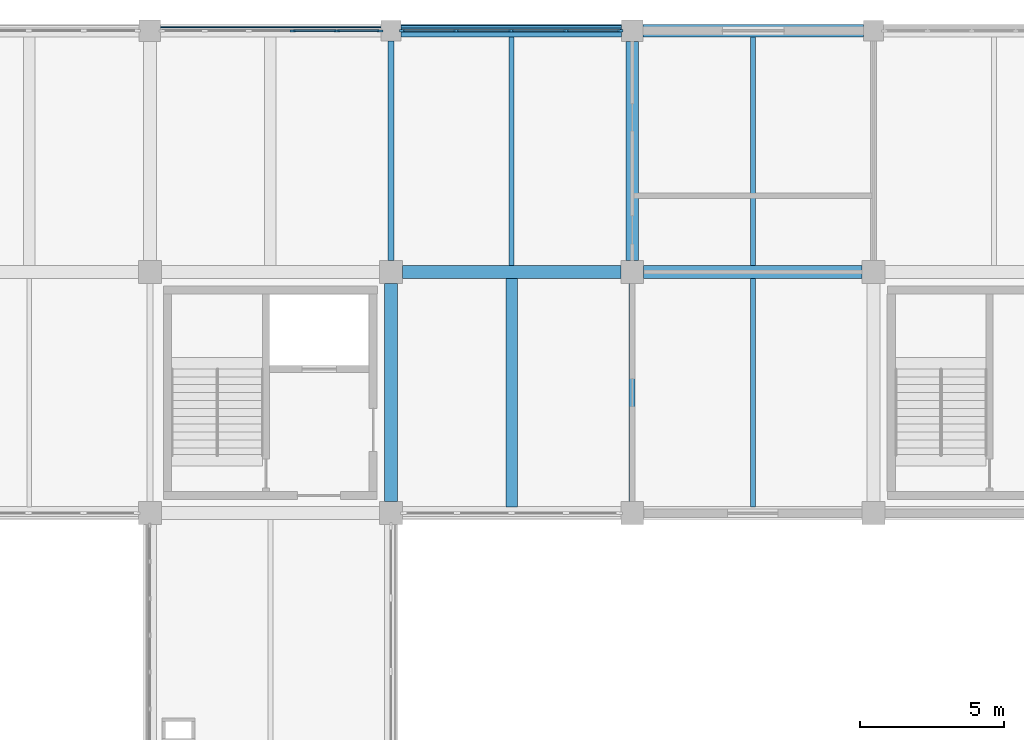
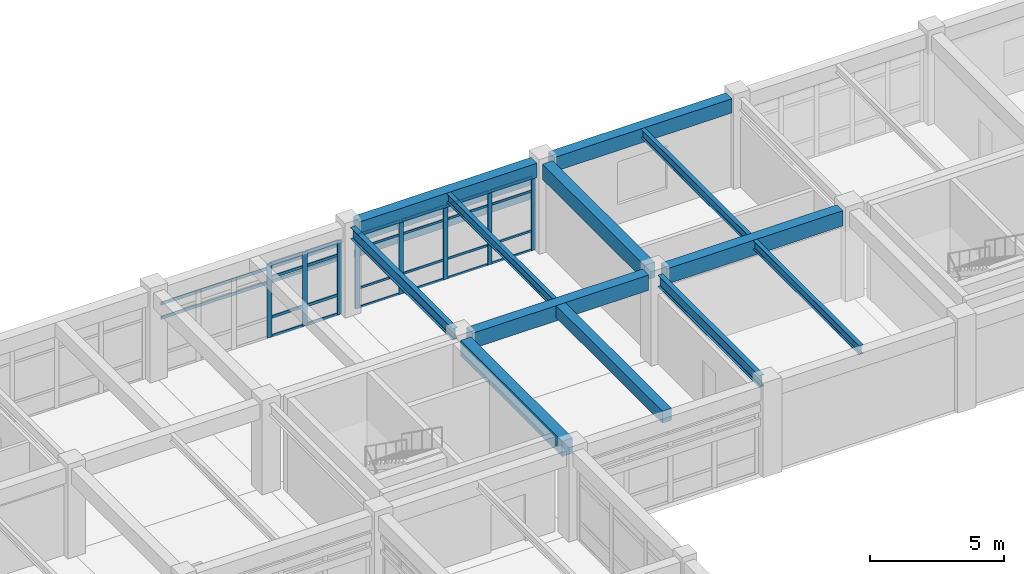
# One storey, part 33 of 74: 36 members, 12 beams, 2 elements without a shape of their own.
"""IFC4 building model written with IfcOpenShell, lengths in metres."""

from ifc_helpers import new_model, si_unit, direction, frame, origin, origin_2d, place, context, subcontext, project, spatial, rectangle, i_section, extrude, material, layer, layer_set, material_profile, profile_set, type_object, element, aggregate, save


model = new_model("IFC4")

# Units and contexts
model_context = context("Model", 3, precision=1e-05, world=origin(), true_north=direction((0.0, 1.0)))
body_context = subcontext(model_context, "Body", "Model", "MODEL_VIEW")
ifc_project = project(units=[si_unit("LENGTHUNIT", "METRE"), si_unit("AREAUNIT", "SQUARE_METRE"), si_unit("VOLUMEUNIT", "CUBIC_METRE"), si_unit("PLANEANGLEUNIT", "RADIAN"), si_unit("MASSUNIT", "GRAM", prefix="KILO")], contexts=[model_context])

# Site, building, storey
site_placement = place(None, origin())
site = spatial("IfcSite", under=ifc_project, at=site_placement, CompositionType="ELEMENT")
building_placement = place(site_placement, origin())
building = spatial("IfcBuilding", under=site, at=building_placement, Name="Porcellanite Civic Hall", CompositionType="ELEMENT")
storey_placement = place(building_placement, frame((0.0, 0.0, 14.760009765625)))
storey = spatial("IfcBuildingStorey", under=building, at=storey_placement, Name="L03", CompositionType="ELEMENT", Elevation=14.760009765625)

# Beams
ifc_material_1 = material(Name="Concrete N50 (50 MPa)", Category="concrete")
ifc_material_profile_1 = material_profile(ifc_material_1, rectangle(XDim=0.39990234375, YDim=0.550048828125, at=origin_2d()), Name="RC-400x550")
ifc_profile_set_1 = profile_set([ifc_material_profile_1], Name="Concrete N50 (50 MPa)")
beam_type_1 = type_object("IfcBeamType", Name="BM-RC550", PredefinedType="JOIST", material=ifc_profile_set_1)
beam_1_placement = place(storey_placement, frame((63.0, 101.0244140625, 3.794921875), z_axis=(0.0, 1.0, 0.0), x_axis=(-1.0, 0.0, 0.0)))
element("IfcBeam", 1, at=beam_1_placement, inside=storey, type_object=beam_type_1, Name="Secondary joist L03 8-13", PredefinedType="JOIST", context=body_context, shape_type="SweptSolid", body=[
    extrude(rectangle(XDim=0.39990234375, YDim=0.550048828125, at=origin_2d()), origin(), (0.0, 0.0, 1.0), 7.951171875),
])
ifc_material_2 = material(Name="Concrete N50 (50 MPa)", Category="concrete")
ifc_material_profile_2 = material_profile(ifc_material_2, rectangle(XDim=0.449951171875, YDim=0.64990234375, at=origin_2d()), Name="RC-450x650")
ifc_profile_set_2 = profile_set([ifc_material_profile_2], Name="Concrete N50 (50 MPa)")
beam_type_2 = type_object("IfcBeamType", Name="BM-RC650", PredefinedType="SPANDREL", material=ifc_profile_set_2)
for number, where, z_axis, x_axis, name in (
    (2, (59.1494140625, 117.60009765625, 3.744873046875), (1.0, 0.0, 0.0), (0.0, 1.0, 0.0), "Beam X L03 8-15"),
    (3, (67.574462890625, 117.60009765625, 3.744873046875), (1.0, 0.0, 0.0), (0.0, 1.0, 0.0), "Beam X L03 9-15"),
):
    element("IfcBeam", number, at=place(storey_placement, frame(where, z_axis=z_axis, x_axis=x_axis)), inside=storey, type_object=beam_type_2, Name=name, PredefinedType="SPANDREL", context=body_context, shape_type="SweptSolid", body=[
        extrude(rectangle(XDim=0.449951171875, YDim=0.64990234375, at=origin_2d()), origin(), (0.0, 0.0, 1.0), 7.676025390625),
    ])
ifc_material_3 = material(Name="Concrete N50 (50 MPa)", Category="concrete")
ifc_material_profile_3 = material_profile(ifc_material_3, rectangle(XDim=0.449951171875, YDim=0.699951171875, at=origin_2d()), Name="RC-450x700")
ifc_profile_set_3 = profile_set([ifc_material_profile_3], Name="Concrete N50 (50 MPa)")
beam_type_3 = type_object("IfcBeamType", Name="BM-RC700", PredefinedType="BEAM", material=ifc_profile_set_3)
beam_2_placement = place(storey_placement, frame((59.199462890625, 109.199951171875, 3.719970703125), z_axis=(1.0, 0.0, 0.0), x_axis=(0.0, 1.0, 0.0)))
element("IfcBeam", 4, at=beam_2_placement, inside=storey, type_object=beam_type_3, Name="Beam X L03 8-14", PredefinedType="BEAM", context=body_context, shape_type="SweptSolid", body=[
    extrude(rectangle(XDim=0.449951171875, YDim=0.699951171875, at=origin_2d()), origin(), (0.0, 0.0, 1.0), 7.60107421875),
])
beam_3_placement = place(storey_placement, frame((67.599609375, 109.199951171875, 3.719970703125), z_axis=(1.0, 0.0, 0.0), x_axis=(0.0, 1.0, 0.0)))
element("IfcBeam", 5, at=beam_3_placement, inside=storey, type_object=beam_type_3, Name="Beam X L03 9-14", PredefinedType="BEAM", context=body_context, shape_type="SweptSolid", body=[
    extrude(rectangle(XDim=0.449951171875, YDim=0.699951171875, at=origin_2d()), origin(), (0.0, 0.0, 1.0), 7.600830078125),
])
beam_4_placement = place(storey_placement, frame((58.800048828125, 101.199462890625, 3.719970703125), z_axis=(0.0, 1.0, 0.0), x_axis=(-1.0, 0.0, 0.0)))
element("IfcBeam", 6, at=beam_4_placement, inside=storey, type_object=beam_type_3, Name="Beam Y L03 8-13", PredefinedType="BEAM", context=body_context, shape_type="SweptSolid", body=[
    extrude(rectangle(XDim=0.449951171875, YDim=0.699951171875, at=origin_2d()), origin(), (0.0, 0.0, 1.0), 7.60107421875),
])
beam_5_placement = place(storey_placement, frame((67.199951171875, 109.599609375, 3.719970703125), z_axis=(0.0, 1.0, 0.0), x_axis=(-1.0, 0.0, 0.0)))
element("IfcBeam", 7, at=beam_5_placement, inside=storey, type_object=beam_type_3, Name="Beam Y L03 9-14", PredefinedType="BEAM", context=body_context, shape_type="SweptSolid", body=[
    extrude(rectangle(XDim=0.449951171875, YDim=0.699951171875, at=origin_2d()), origin(), (0.0, 0.0, 1.0), 7.6259765625),
])

# Curtain wall, members
ifc_material_4 = material(Name="Anodised aluminium and solar laminated glass", Category="aluminium")
ifc_layer_1 = layer(ifc_material_4, 0.179931640625)
ifc_layer_set_1 = layer_set([ifc_layer_1], Name="Anodised aluminium and solar laminated glass")
curtain_wall_type_1 = type_object("IfcCurtainWallType", Name="CW-SYS04", PredefinedType="NOTDEFINED", material=ifc_layer_set_1)
curtain_wall_1_placement = place(storey_placement, origin())
curtain_wall_1 = element("IfcCurtainWall", 8, at=curtain_wall_1_placement, inside=storey, type_object=curtain_wall_type_1, Name="Curtain wall CW-205", PredefinedType="NOTDEFINED")
ifc_material_5 = material(Name="Anodised aluminium 6063-T6", Category="aluminium")
ifc_material_profile_4 = material_profile(ifc_material_5, rectangle(XDim=0.074951171875, YDim=0.18994140625, at=origin_2d()), Name="AL-75x190")
ifc_profile_set_4 = profile_set([ifc_material_profile_4], Name="Anodised aluminium 6063-T6")
member_type_1 = type_object("IfcMemberType", Name="CWM-04", PredefinedType="MULLION", material=ifc_profile_set_4)
member_1_placement = place(storey_placement, frame((59.1884765625, 117.60009765625, 0.0), z_axis=(0.0, 0.0, 1.0), x_axis=(0.0, 1.0, 0.0)))
member_1 = element("IfcMember", 9, at=member_1_placement, type_object=member_type_1, Name="CW-205 mullion 1", PredefinedType="MULLION", context=body_context, shape_type="SweptSolid", body=[
    extrude(rectangle(XDim=0.074951171875, YDim=0.18994140625, at=origin_2d()), origin(), (0.0, 0.0, 1.0), 3.369873046875),
])
member_2_placement = place(storey_placement, frame((61.0693359375, 117.60009765625, 0.0), z_axis=(0.0, 0.0, 1.0), x_axis=(0.0, 1.0, 0.0)))
member_2 = element("IfcMember", 10, at=member_2_placement, type_object=member_type_1, Name="CW-205 mullion 2", PredefinedType="MULLION", context=body_context, shape_type="SweptSolid", body=[
    extrude(rectangle(XDim=0.074951171875, YDim=0.18994140625, at=origin_2d()), origin(), (0.0, 0.0, 1.0), 3.369873046875),
])
member_3_placement = place(storey_placement, frame((62.987548828125, 117.60009765625, 0.0), z_axis=(0.0, 0.0, 1.0), x_axis=(0.0, 1.0, 0.0)))
member_3 = element("IfcMember", 11, at=member_3_placement, type_object=member_type_1, Name="CW-205 mullion 3", PredefinedType="MULLION", context=body_context, shape_type="SweptSolid", body=[
    extrude(rectangle(XDim=0.074951171875, YDim=0.18994140625, at=origin_2d()), origin(), (0.0, 0.0, 1.0), 3.369873046875),
])
member_4_placement = place(storey_placement, frame((64.90576171875, 117.60009765625, 0.0), z_axis=(0.0, 0.0, 1.0), x_axis=(0.0, 1.0, 0.0)))
member_4 = element("IfcMember", 12, at=member_4_placement, type_object=member_type_1, Name="CW-205 mullion 4", PredefinedType="MULLION", context=body_context, shape_type="SweptSolid", body=[
    extrude(rectangle(XDim=0.074951171875, YDim=0.18994140625, at=origin_2d()), origin(), (0.0, 0.0, 1.0), 3.369873046875),
])
member_5_placement = place(storey_placement, frame((66.78662109375, 117.60009765625, 0.0), z_axis=(0.0, 0.0, 1.0), x_axis=(0.0, 1.0, 0.0)))
member_5 = element("IfcMember", 13, at=member_5_placement, type_object=member_type_1, Name="CW-205 mullion 5", PredefinedType="MULLION", context=body_context, shape_type="SweptSolid", body=[
    extrude(rectangle(XDim=0.074951171875, YDim=0.18994140625, at=origin_2d()), origin(), (0.0, 0.0, 1.0), 3.369873046875),
])

ifc_material_6 = material(Name="Anodised aluminium and solar laminated glass", Category="aluminium")
ifc_layer_2 = layer(ifc_material_6, 0.179931640625)
ifc_layer_set_2 = layer_set([ifc_layer_2], Name="Anodised aluminium and solar laminated glass")
curtain_wall_type_2 = type_object("IfcCurtainWallType", Name="CW-SYS01", PredefinedType="NOTDEFINED", material=ifc_layer_set_2)
curtain_wall_2_placement = place(storey_placement, origin())
curtain_wall_2 = element("IfcCurtainWall", 14, at=curtain_wall_2_placement, inside=storey, type_object=curtain_wall_type_2, Name="Curtain wall CW-203", PredefinedType="NOTDEFINED")
ifc_material_7 = material(Name="Anodised aluminium 6063-T6", Category="aluminium")
ifc_material_profile_5 = material_profile(ifc_material_7, rectangle(XDim=0.070068359375, YDim=0.199951171875, at=origin_2d()), Name="AL-70x200")
ifc_profile_set_5 = profile_set([ifc_material_profile_5], Name="Anodised aluminium 6063-T6")
member_type_2 = type_object("IfcMemberType", Name="CWM-05", PredefinedType="MULLION", material=ifc_profile_set_5)
member_6_placement = place(storey_placement, frame((55.3798828125, 117.60009765625, 0.0), z_axis=(0.0, 0.0, 1.0), x_axis=(0.0, 1.0, 0.0)))
member_6 = element("IfcMember", 15, at=member_6_placement, type_object=member_type_2, Name="CW-203 mullion 4", PredefinedType="MULLION", context=body_context, shape_type="SweptSolid", body=[
    extrude(rectangle(XDim=0.070068359375, YDim=0.199951171875, at=origin_2d()), origin(), (0.0, 0.0, 1.0), 3.369873046875),
])
member_7_placement = place(storey_placement, frame((56.914306640625, 117.60009765625, 0.0), z_axis=(0.0, 0.0, 1.0), x_axis=(0.0, 1.0, 0.0)))
member_7 = element("IfcMember", 16, at=member_7_placement, type_object=member_type_2, Name="CW-203 mullion 5", PredefinedType="MULLION", context=body_context, shape_type="SweptSolid", body=[
    extrude(rectangle(XDim=0.070068359375, YDim=0.199951171875, at=origin_2d()), origin(), (0.0, 0.0, 1.0), 3.369873046875),
])
member_8_placement = place(storey_placement, frame((58.4140625, 117.60009765625, 0.0), z_axis=(0.0, 0.0, 1.0), x_axis=(0.0, 1.0, 0.0)))
member_8 = element("IfcMember", 17, at=member_8_placement, type_object=member_type_2, Name="CW-203 mullion 6", PredefinedType="MULLION", context=body_context, shape_type="SweptSolid", body=[
    extrude(rectangle(XDim=0.070068359375, YDim=0.199951171875, at=origin_2d()), origin(), (0.0, 0.0, 1.0), 3.369873046875),
])
ifc_material_8 = material(Name="Anodised aluminium 6063-T6", Category="aluminium")
ifc_material_profile_6 = material_profile(ifc_material_8, rectangle(XDim=0.06005859375, YDim=0.1298828125, at=origin_2d()), Name="AL-60x130")
ifc_profile_set_6 = profile_set([ifc_material_profile_6], Name="Anodised aluminium 6063-T6")
member_type_3 = type_object("IfcMemberType", Name="CWT-03", PredefinedType="USERDEFINED", material=ifc_profile_set_6)
member_9_placement = place(storey_placement, frame((55.414794921875, 117.60009765625, 0.030029296875), z_axis=(1.0, 0.0, 0.0), x_axis=(0.0, 1.0, 0.0)))
member_9 = element("IfcMember", 18, at=member_9_placement, type_object=member_type_3, Name="CW-203 transom 4.1", ObjectType="TRANSOM", PredefinedType="USERDEFINED", context=body_context, shape_type="SweptSolid", body=[
    extrude(rectangle(XDim=0.06005859375, YDim=0.1298828125, at=origin_2d()), origin(), (0.0, 0.0, 1.0), 1.464599609375),
])
member_10_placement = place(storey_placement, frame((55.414794921875, 117.60009765625, 0.89990234375), z_axis=(1.0, 0.0, 0.0), x_axis=(0.0, 1.0, 0.0)))
member_10 = element("IfcMember", 19, at=member_10_placement, type_object=member_type_3, Name="CW-203 transom 4.2", ObjectType="TRANSOM", PredefinedType="USERDEFINED", context=body_context, shape_type="SweptSolid", body=[
    extrude(rectangle(XDim=0.06005859375, YDim=0.1298828125, at=origin_2d()), origin(), (0.0, 0.0, 1.0), 1.464599609375),
])
member_11_placement = place(storey_placement, frame((55.414794921875, 117.60009765625, 2.719970703125), z_axis=(1.0, 0.0, 0.0), x_axis=(0.0, 1.0, 0.0)))
member_11 = element("IfcMember", 20, at=member_11_placement, type_object=member_type_3, Name="CW-203 transom 4.3", ObjectType="TRANSOM", PredefinedType="USERDEFINED", context=body_context, shape_type="SweptSolid", body=[
    extrude(rectangle(XDim=0.06005859375, YDim=0.1298828125, at=origin_2d()), origin(), (0.0, 0.0, 1.0), 1.464599609375),
])
member_12_placement = place(storey_placement, frame((55.414794921875, 117.60009765625, 3.340087890625), z_axis=(1.0, 0.0, 0.0), x_axis=(0.0, 1.0, 0.0)))
member_12 = element("IfcMember", 21, at=member_12_placement, type_object=member_type_3, Name="CW-203 transom 4.4", ObjectType="TRANSOM", PredefinedType="USERDEFINED", context=body_context, shape_type="SweptSolid", body=[
    extrude(rectangle(XDim=0.06005859375, YDim=0.1298828125, at=origin_2d()), origin(), (0.0, 0.0, 1.0), 1.464599609375),
])
member_13_placement = place(storey_placement, frame((56.949462890625, 117.60009765625, 0.030029296875), z_axis=(1.0, 0.0, 0.0), x_axis=(0.0, 1.0, 0.0)))
member_13 = element("IfcMember", 22, at=member_13_placement, type_object=member_type_3, Name="CW-203 transom 5.1", ObjectType="TRANSOM", PredefinedType="USERDEFINED", context=body_context, shape_type="SweptSolid", body=[
    extrude(rectangle(XDim=0.06005859375, YDim=0.1298828125, at=origin_2d()), origin(), (0.0, 0.0, 1.0), 1.429443359375),
])
member_14_placement = place(storey_placement, frame((56.949462890625, 117.60009765625, 0.89990234375), z_axis=(1.0, 0.0, 0.0), x_axis=(0.0, 1.0, 0.0)))
member_14 = element("IfcMember", 23, at=member_14_placement, type_object=member_type_3, Name="CW-203 transom 5.2", ObjectType="TRANSOM", PredefinedType="USERDEFINED", context=body_context, shape_type="SweptSolid", body=[
    extrude(rectangle(XDim=0.06005859375, YDim=0.1298828125, at=origin_2d()), origin(), (0.0, 0.0, 1.0), 1.429443359375),
])
member_15_placement = place(storey_placement, frame((56.949462890625, 117.60009765625, 2.719970703125), z_axis=(1.0, 0.0, 0.0), x_axis=(0.0, 1.0, 0.0)))
member_15 = element("IfcMember", 24, at=member_15_placement, type_object=member_type_3, Name="CW-203 transom 5.3", ObjectType="TRANSOM", PredefinedType="USERDEFINED", context=body_context, shape_type="SweptSolid", body=[
    extrude(rectangle(XDim=0.06005859375, YDim=0.1298828125, at=origin_2d()), origin(), (0.0, 0.0, 1.0), 1.429443359375),
])
member_16_placement = place(storey_placement, frame((56.949462890625, 117.60009765625, 3.340087890625), z_axis=(1.0, 0.0, 0.0), x_axis=(0.0, 1.0, 0.0)))
member_16 = element("IfcMember", 25, at=member_16_placement, type_object=member_type_3, Name="CW-203 transom 5.4", ObjectType="TRANSOM", PredefinedType="USERDEFINED", context=body_context, shape_type="SweptSolid", body=[
    extrude(rectangle(XDim=0.06005859375, YDim=0.1298828125, at=origin_2d()), origin(), (0.0, 0.0, 1.0), 1.429443359375),
])
aggregate(curtain_wall_2, [member_6, member_7, member_8, member_9, member_10, member_11, member_12, member_13, member_14, member_15, member_16])

# Member
ifc_material_9 = material(Name="Anodised aluminium 6063-T6", Category="aluminium")
ifc_material_profile_7 = material_profile(ifc_material_9, rectangle(XDim=0.054931640625, YDim=0.10009765625, at=origin_2d()), Name="AL-55x100")
ifc_profile_set_7 = profile_set([ifc_material_profile_7], Name="Anodised aluminium 6063-T6")
member_type_4 = type_object("IfcMemberType", Name="CWT-05", PredefinedType="USERDEFINED", material=ifc_profile_set_7)
member_17_placement = place(storey_placement, frame((59.22607421875, 117.60009765625, 0.027587890625), z_axis=(1.0, 0.0, 0.0), x_axis=(0.0, 1.0, 0.0)))
member_17 = element("IfcMember", 26, at=member_17_placement, type_object=member_type_4, Name="CW-205 transom 1.1", ObjectType="TRANSOM", PredefinedType="USERDEFINED", context=body_context, shape_type="SweptSolid", body=[
    extrude(rectangle(XDim=0.054931640625, YDim=0.10009765625, at=origin_2d()), origin(), (0.0, 0.0, 1.0), 1.8056640625),
])

member_18_placement = place(storey_placement, frame((59.22607421875, 117.60009765625, 0.89990234375), z_axis=(1.0, 0.0, 0.0), x_axis=(0.0, 1.0, 0.0)))
member_18 = element("IfcMember", 27, at=member_18_placement, type_object=member_type_4, Name="CW-205 transom 1.2", ObjectType="TRANSOM", PredefinedType="USERDEFINED", context=body_context, shape_type="SweptSolid", body=[
    extrude(rectangle(XDim=0.054931640625, YDim=0.10009765625, at=origin_2d()), origin(), (0.0, 0.0, 1.0), 1.8056640625),
])

member_19_placement = place(storey_placement, frame((59.22607421875, 117.60009765625, 2.719970703125), z_axis=(1.0, 0.0, 0.0), x_axis=(0.0, 1.0, 0.0)))
member_19 = element("IfcMember", 28, at=member_19_placement, type_object=member_type_4, Name="CW-205 transom 1.3", ObjectType="TRANSOM", PredefinedType="USERDEFINED", context=body_context, shape_type="SweptSolid", body=[
    extrude(rectangle(XDim=0.054931640625, YDim=0.10009765625, at=origin_2d()), origin(), (0.0, 0.0, 1.0), 1.8056640625),
])

member_20_placement = place(storey_placement, frame((59.22607421875, 117.60009765625, 3.342529296875), z_axis=(1.0, 0.0, 0.0), x_axis=(0.0, 1.0, 0.0)))
member_20 = element("IfcMember", 29, at=member_20_placement, type_object=member_type_4, Name="CW-205 transom 1.4", ObjectType="TRANSOM", PredefinedType="USERDEFINED", context=body_context, shape_type="SweptSolid", body=[
    extrude(rectangle(XDim=0.054931640625, YDim=0.10009765625, at=origin_2d()), origin(), (0.0, 0.0, 1.0), 1.8056640625),
])

member_21_placement = place(storey_placement, frame((61.106689453125, 117.60009765625, 0.027587890625), z_axis=(1.0, 0.0, 0.0), x_axis=(0.0, 1.0, 0.0)))
member_21 = element("IfcMember", 30, at=member_21_placement, type_object=member_type_4, Name="CW-205 transom 2.1", ObjectType="TRANSOM", PredefinedType="USERDEFINED", context=body_context, shape_type="SweptSolid", body=[
    extrude(rectangle(XDim=0.054931640625, YDim=0.10009765625, at=origin_2d()), origin(), (0.0, 0.0, 1.0), 1.84326171875),
])

member_22_placement = place(storey_placement, frame((61.106689453125, 117.60009765625, 0.89990234375), z_axis=(1.0, 0.0, 0.0), x_axis=(0.0, 1.0, 0.0)))
member_22 = element("IfcMember", 31, at=member_22_placement, type_object=member_type_4, Name="CW-205 transom 2.2", ObjectType="TRANSOM", PredefinedType="USERDEFINED", context=body_context, shape_type="SweptSolid", body=[
    extrude(rectangle(XDim=0.054931640625, YDim=0.10009765625, at=origin_2d()), origin(), (0.0, 0.0, 1.0), 1.84326171875),
])

member_23_placement = place(storey_placement, frame((61.106689453125, 117.60009765625, 2.719970703125), z_axis=(1.0, 0.0, 0.0), x_axis=(0.0, 1.0, 0.0)))
member_23 = element("IfcMember", 32, at=member_23_placement, type_object=member_type_4, Name="CW-205 transom 2.3", ObjectType="TRANSOM", PredefinedType="USERDEFINED", context=body_context, shape_type="SweptSolid", body=[
    extrude(rectangle(XDim=0.054931640625, YDim=0.10009765625, at=origin_2d()), origin(), (0.0, 0.0, 1.0), 1.84326171875),
])

member_24_placement = place(storey_placement, frame((61.106689453125, 117.60009765625, 3.342529296875), z_axis=(1.0, 0.0, 0.0), x_axis=(0.0, 1.0, 0.0)))
member_24 = element("IfcMember", 33, at=member_24_placement, type_object=member_type_4, Name="CW-205 transom 2.4", ObjectType="TRANSOM", PredefinedType="USERDEFINED", context=body_context, shape_type="SweptSolid", body=[
    extrude(rectangle(XDim=0.054931640625, YDim=0.10009765625, at=origin_2d()), origin(), (0.0, 0.0, 1.0), 1.84326171875),
])

member_25_placement = place(storey_placement, frame((63.02490234375, 117.60009765625, 0.027587890625), z_axis=(1.0, 0.0, 0.0), x_axis=(0.0, 1.0, 0.0)))
member_25 = element("IfcMember", 34, at=member_25_placement, type_object=member_type_4, Name="CW-205 transom 3.1", ObjectType="TRANSOM", PredefinedType="USERDEFINED", context=body_context, shape_type="SweptSolid", body=[
    extrude(rectangle(XDim=0.054931640625, YDim=0.10009765625, at=origin_2d()), origin(), (0.0, 0.0, 1.0), 1.84326171875),
])

member_26_placement = place(storey_placement, frame((63.02490234375, 117.60009765625, 0.89990234375), z_axis=(1.0, 0.0, 0.0), x_axis=(0.0, 1.0, 0.0)))
member_26 = element("IfcMember", 35, at=member_26_placement, type_object=member_type_4, Name="CW-205 transom 3.2", ObjectType="TRANSOM", PredefinedType="USERDEFINED", context=body_context, shape_type="SweptSolid", body=[
    extrude(rectangle(XDim=0.054931640625, YDim=0.10009765625, at=origin_2d()), origin(), (0.0, 0.0, 1.0), 1.84326171875),
])

member_27_placement = place(storey_placement, frame((63.02490234375, 117.60009765625, 2.719970703125), z_axis=(1.0, 0.0, 0.0), x_axis=(0.0, 1.0, 0.0)))
member_27 = element("IfcMember", 36, at=member_27_placement, type_object=member_type_4, Name="CW-205 transom 3.3", ObjectType="TRANSOM", PredefinedType="USERDEFINED", context=body_context, shape_type="SweptSolid", body=[
    extrude(rectangle(XDim=0.054931640625, YDim=0.10009765625, at=origin_2d()), origin(), (0.0, 0.0, 1.0), 1.84326171875),
])

member_28_placement = place(storey_placement, frame((63.02490234375, 117.60009765625, 3.342529296875), z_axis=(1.0, 0.0, 0.0), x_axis=(0.0, 1.0, 0.0)))
member_28 = element("IfcMember", 37, at=member_28_placement, type_object=member_type_4, Name="CW-205 transom 3.4", ObjectType="TRANSOM", PredefinedType="USERDEFINED", context=body_context, shape_type="SweptSolid", body=[
    extrude(rectangle(XDim=0.054931640625, YDim=0.10009765625, at=origin_2d()), origin(), (0.0, 0.0, 1.0), 1.84326171875),
])

member_29_placement = place(storey_placement, frame((64.943359375, 117.60009765625, 0.027587890625), z_axis=(1.0, 0.0, 0.0), x_axis=(0.0, 1.0, 0.0)))
member_29 = element("IfcMember", 38, at=member_29_placement, type_object=member_type_4, Name="CW-205 transom 4.1", ObjectType="TRANSOM", PredefinedType="USERDEFINED", context=body_context, shape_type="SweptSolid", body=[
    extrude(rectangle(XDim=0.054931640625, YDim=0.10009765625, at=origin_2d()), origin(), (0.0, 0.0, 1.0), 1.8056640625),
])

member_30_placement = place(storey_placement, frame((64.943359375, 117.60009765625, 0.89990234375), z_axis=(1.0, 0.0, 0.0), x_axis=(0.0, 1.0, 0.0)))
member_30 = element("IfcMember", 39, at=member_30_placement, type_object=member_type_4, Name="CW-205 transom 4.2", ObjectType="TRANSOM", PredefinedType="USERDEFINED", context=body_context, shape_type="SweptSolid", body=[
    extrude(rectangle(XDim=0.054931640625, YDim=0.10009765625, at=origin_2d()), origin(), (0.0, 0.0, 1.0), 1.8056640625),
])

member_31_placement = place(storey_placement, frame((64.943359375, 117.60009765625, 2.719970703125), z_axis=(1.0, 0.0, 0.0), x_axis=(0.0, 1.0, 0.0)))
member_31 = element("IfcMember", 40, at=member_31_placement, type_object=member_type_4, Name="CW-205 transom 4.3", ObjectType="TRANSOM", PredefinedType="USERDEFINED", context=body_context, shape_type="SweptSolid", body=[
    extrude(rectangle(XDim=0.054931640625, YDim=0.10009765625, at=origin_2d()), origin(), (0.0, 0.0, 1.0), 1.8056640625),
])

member_32_placement = place(storey_placement, frame((64.943359375, 117.60009765625, 3.342529296875), z_axis=(1.0, 0.0, 0.0), x_axis=(0.0, 1.0, 0.0)))
member_32 = element("IfcMember", 41, at=member_32_placement, type_object=member_type_4, Name="CW-205 transom 4.4", ObjectType="TRANSOM", PredefinedType="USERDEFINED", context=body_context, shape_type="SweptSolid", body=[
    extrude(rectangle(XDim=0.054931640625, YDim=0.10009765625, at=origin_2d()), origin(), (0.0, 0.0, 1.0), 1.8056640625),
])

aggregate(curtain_wall_1, [member_1, member_2, member_3, member_4, member_5, member_17, member_18, member_19, member_20, member_21, member_22, member_23, member_24, member_25, member_26, member_27, member_28, member_29, member_30, member_31, member_32])

# Beams
ifc_material_10 = material(Name="Steel Grade 350", Category="steel")
ifc_material_profile_8 = material_profile(ifc_material_10, i_section(OverallWidth=0.177978515625, OverallDepth=0.403076171875, WebThickness=0.007568359375, FlangeThickness=0.010986328125, FilletRadius=0.011474609375, at=origin_2d()), Name="410UB53.7")
ifc_profile_set_8 = profile_set([ifc_material_profile_8], Name="Steel Grade 350")
beam_type_4 = type_object("IfcBeamType", Name="JST-410UB54", PredefinedType="JOIST", material=ifc_profile_set_8)
beam_6_placement = place(storey_placement, frame((71.39990234375, 109.424560546875, 3.868408203125), z_axis=(0.0, 1.0, 0.0), x_axis=(-1.0, 0.0, 0.0)))
element("IfcBeam", 42, at=beam_6_placement, inside=storey, type_object=beam_type_4, Name="Secondary joist L03 9-14", PredefinedType="JOIST", context=body_context, shape_type="SweptSolid", body=[
    extrude(i_section(OverallWidth=0.177978515625, OverallDepth=0.403076171875, WebThickness=0.007568359375, FlangeThickness=0.010986328125, FilletRadius=0.011474609375, at=origin_2d()), origin(), (0.0, 0.0, 1.0), 7.950927734375),
])
ifc_material_11 = material(Name="Steel Grade 350", Category="steel")
ifc_material_profile_9 = material_profile(ifc_material_11, i_section(OverallWidth=0.177978515625, OverallDepth=0.406005859375, WebThickness=0.0078125, FlangeThickness=0.0126953125, FilletRadius=0.011474609375, at=origin_2d()), Name="410UB59.7")
ifc_profile_set_9 = profile_set([ifc_material_profile_9], Name="Steel Grade 350")
beam_type_5 = type_object("IfcBeamType", Name="JST-410UB60", PredefinedType="JOIST", material=ifc_profile_set_9)
beam_7_placement = place(storey_placement, frame((63.0, 109.424560546875, 3.866943359375), z_axis=(0.0, 1.0, 0.0), x_axis=(-1.0, 0.0, 0.0)))
element("IfcBeam", 43, at=beam_7_placement, inside=storey, type_object=beam_type_5, Name="Secondary joist L03 8-14", PredefinedType="JOIST", context=body_context, shape_type="SweptSolid", body=[
    extrude(i_section(OverallWidth=0.177978515625, OverallDepth=0.406005859375, WebThickness=0.0078125, FlangeThickness=0.0126953125, FilletRadius=0.011474609375, at=origin_2d()), origin(), (0.0, 0.0, 1.0), 7.950927734375),
])
beam_8_placement = place(storey_placement, frame((71.39990234375, 101.0244140625, 3.866943359375), z_axis=(0.0, 1.0, 0.0), x_axis=(-1.0, 0.0, 0.0)))
element("IfcBeam", 44, at=beam_8_placement, inside=storey, type_object=beam_type_5, Name="Secondary joist L03 9-13", PredefinedType="JOIST", context=body_context, shape_type="SweptSolid", body=[
    extrude(i_section(OverallWidth=0.177978515625, OverallDepth=0.406005859375, WebThickness=0.0078125, FlangeThickness=0.0126953125, FilletRadius=0.011474609375, at=origin_2d()), origin(), (0.0, 0.0, 1.0), 7.951171875),
])

# Members
ifc_material_12 = material(Name="Fluoropolymer bauxite-red aluminium 6063-T6", Category="aluminium")
ifc_material_profile_10 = material_profile(ifc_material_12, rectangle(XDim=0.0849609375, YDim=0.340087890625, at=origin_2d()), Name="AL-85x340")
ifc_profile_set_10 = profile_set([ifc_material_profile_10], Name="Fluoropolymer bauxite-red aluminium 6063-T6")
member_type_5 = type_object("IfcMemberType", Name="LV-BLD02", PredefinedType="USERDEFINED", material=ifc_profile_set_10)
for number, where, z_axis, x_axis, name in (
    (45, (59.1494140625, 117.739501953125, 3.070068359375), (1.0, 0.0, 0.0), (0.0, 1.0, 0.0), "Cyclone sunshade louvre L03 N 7-13 1"),
    (46, (59.1494140625, 117.739501953125, 2.419921875), (1.0, 0.0, 0.0), (0.0, 1.0, 0.0), "Cyclone sunshade louvre L03 N 7-13 2"),
):
    element("IfcMember", number, at=place(storey_placement, frame(where, z_axis=z_axis, x_axis=x_axis)), inside=storey, type_object=member_type_5, Name=name, ObjectType="LOUVRE BLADE", PredefinedType="USERDEFINED", context=body_context, shape_type="SweptSolid", body=[
        extrude(rectangle(XDim=0.0849609375, YDim=0.340087890625, at=origin_2d()), origin(), (0.0, 0.0, 1.0), 7.676025390625),
    ])
ifc_material_13 = material(Name="Fluoropolymer bauxite-red aluminium 6063-T6", Category="aluminium")
ifc_material_profile_11 = material_profile(ifc_material_13, rectangle(XDim=0.0400390625, YDim=0.139892578125, at=origin_2d()), Name="AL-40x140")
ifc_profile_set_11 = profile_set([ifc_material_profile_11], Name="Fluoropolymer bauxite-red aluminium 6063-T6")
member_type_6 = type_object("IfcMemberType", Name="LV-BLD12", PredefinedType="USERDEFINED", material=ifc_profile_set_11)
for number, where, z_axis, x_axis, name in (
    (47, (50.7744140625, 117.721923828125, 3.070068359375), (1.0, 0.0, 0.0), (0.0, 1.0, 0.0), "Cyclone sunshade louvre L03 N 6-13 1"),
    (48, (50.7744140625, 117.721923828125, 2.419921875), (1.0, 0.0, 0.0), (0.0, 1.0, 0.0), "Cyclone sunshade louvre L03 N 6-13 2"),
):
    element("IfcMember", number, at=place(storey_placement, frame(where, z_axis=z_axis, x_axis=x_axis)), inside=storey, type_object=member_type_6, Name=name, ObjectType="LOUVRE BLADE", PredefinedType="USERDEFINED", context=body_context, shape_type="SweptSolid", body=[
        extrude(rectangle(XDim=0.0400390625, YDim=0.139892578125, at=origin_2d()), origin(), (0.0, 0.0, 1.0), 7.676025390625),
    ])

# Beams
ifc_material_14 = material(Name="Steel Grade 350", Category="steel")
ifc_material_profile_12 = material_profile(ifc_material_14, i_section(OverallWidth=0.208984375, OverallDepth=0.528076171875, WebThickness=0.009521484375, FlangeThickness=0.01318359375, FilletRadius=0.013916015625, at=origin_2d()), Name="530UB82.0")
ifc_profile_set_12 = profile_set([ifc_material_profile_12], Name="Steel Grade 350")
beam_type_6 = type_object("IfcBeamType", Name="RAF-530UB82", PredefinedType="BEAM", material=ifc_profile_set_12)
beam_9_placement = place(storey_placement, frame((58.800048828125, 109.599609375, 3.805908203125), z_axis=(0.0, 1.0, 0.0), x_axis=(-1.0, 0.0, 0.0)))
element("IfcBeam", 49, at=beam_9_placement, inside=storey, type_object=beam_type_6, Name="Beam Y L03 8-14", PredefinedType="BEAM", context=body_context, shape_type="SweptSolid", body=[
    extrude(i_section(OverallWidth=0.208984375, OverallDepth=0.528076171875, WebThickness=0.009521484375, FlangeThickness=0.01318359375, FilletRadius=0.013916015625, at=origin_2d()), origin(), (0.0, 0.0, 1.0), 7.65087890625),
])
beam_10_placement = place(storey_placement, frame((67.199951171875, 101.199462890625, 3.805908203125), z_axis=(0.0, 1.0, 0.0), x_axis=(-1.0, 0.0, 0.0)))
element("IfcBeam", 50, at=beam_10_placement, inside=storey, type_object=beam_type_6, Name="Beam Y L03 9-13", PredefinedType="BEAM", context=body_context, shape_type="SweptSolid", body=[
    extrude(i_section(OverallWidth=0.208984375, OverallDepth=0.528076171875, WebThickness=0.009521484375, FlangeThickness=0.01318359375, FilletRadius=0.013916015625, at=origin_2d()), origin(), (0.0, 0.0, 1.0), 7.60107421875),
])

save(model, "model.ifc")
